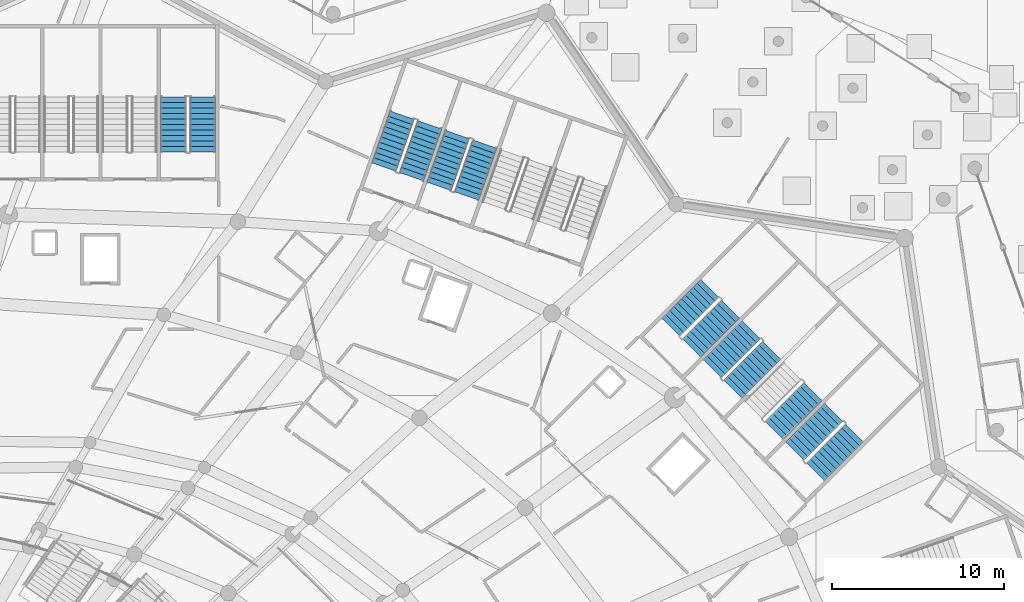
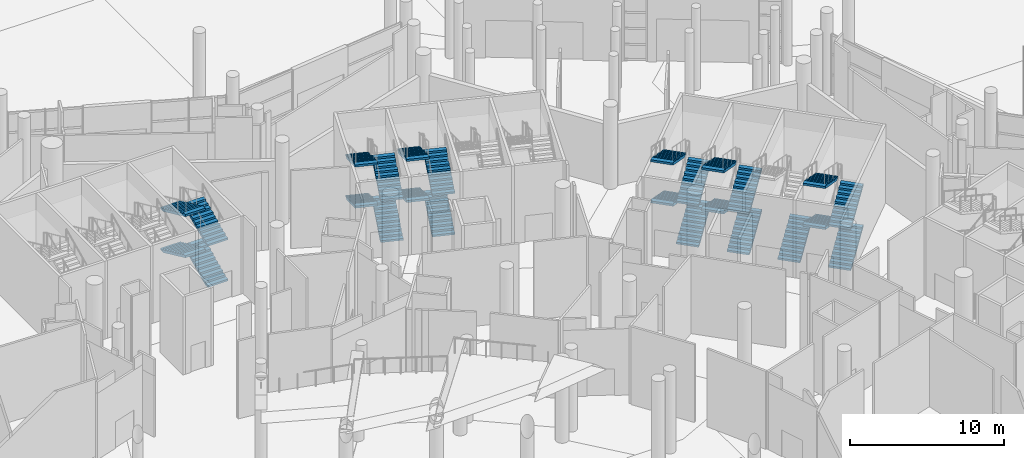
# One storey, part 181 of 255: 25 stair flights, 7 elements without a shape of their own.
"""IFC4 building model written with IfcOpenShell, lengths in metres."""

import ifcopenshell
import ifcopenshell.guid

model = None  # the IFC model being written
_history = None  # IfcOwnerHistory: only IFC2X3 demands one
_inside = {}  # id of a spatial element -> (the spatial element, [elements in it])
_under = {}  # id of a project, library or spatial element -> (it, [spatial elements below it])
_declared = {}  # id of a project -> (the project, [libraries it declares])
_typed = {}  # id of a type object -> (the type object, [elements of that type])
_made_of = {}  # id of a material, layer set ... -> (it, [elements and type objects made of it])


def new_model(schema):
    """Start an empty IFC model of exactly this schema.

    Asked for "IFC4X3", IfcOpenShell would pick the latest addendum, in which some entities
    have other attributes; the version numbers below select the first issue.
    IFC2X3 requires an IfcOwnerHistory on every rooted entity: one is made here for all.
    """
    global model, _history
    if schema == "IFC4X3":
        model = ifcopenshell.file(schema_version=(4, 3, 0, 0))
    else:
        model = ifcopenshell.file(schema=schema)
    _inside.clear()
    _under.clear()
    _declared.clear()
    _typed.clear()
    _made_of.clear()
    _history = None
    if model.schema == "IFC2X3":
        org = make("IfcOrganization", Name="unknown")
        user = make(
            "IfcPersonAndOrganization",
            ThePerson=make("IfcPerson", FamilyName="unknown"),
            TheOrganization=org,
        )
        app = make(
            "IfcApplication",
            ApplicationDeveloper=org,
            Version="unknown",
            ApplicationFullName="unknown",
            ApplicationIdentifier="unknown",
        )
        _history = make(
            "IfcOwnerHistory",
            OwningUser=user,
            OwningApplication=app,
            ChangeAction="ADDED",
            CreationDate=0,
        )
    return model


def make(cls, **values):
    """One entity of the class cls with the attributes given. An attribute that is None is left unset."""
    return model.create_entity(
        cls, **{name: value for name, value in values.items() if value is not None}
    )


def rooted(cls, **values):
    """An entity with a GlobalId (a new one), such as an element, a storey or a relation."""
    return make(cls, GlobalId=ifcopenshell.guid.new(), OwnerHistory=_history, **values)


def si_unit(unit_type, name, prefix=None):
    """IfcSIUnit, for example si_unit("LENGTHUNIT", "METRE", prefix="MILLI")."""
    return make("IfcSIUnit", UnitType=unit_type, Prefix=prefix, Name=name)


def assignment(units):
    """IfcUnitAssignment: the units of a project."""
    return None if units is None else make("IfcUnitAssignment", Units=units)


def point(xyz):
    """IfcCartesianPoint."""
    return None if xyz is None else make("IfcCartesianPoint", Coordinates=xyz)


def direction(xyz):
    """IfcDirection."""
    return None if xyz is None else make("IfcDirection", DirectionRatios=xyz)


def frame(location, z_axis=None, x_axis=None):
    """IfcAxis2Placement3D, a coordinate frame: its origin and axes. An axis left out is left unset."""
    return make(
        "IfcAxis2Placement3D",
        Location=point(location),
        Axis=direction(z_axis),
        RefDirection=direction(x_axis),
    )


def origin():
    """The frame at (0, 0, 0) with its axes left unset."""
    return frame((0.0, 0.0, 0.0))


def place(relative_to, where):
    """IfcLocalPlacement: puts the frame where relative to a parent placement (None: the world)."""
    return make(
        "IfcLocalPlacement", PlacementRelTo=relative_to, RelativePlacement=where
    )


def context(
    kind, dimensions, precision=None, world=None, true_north=None, identifier=None
):
    """IfcGeometricRepresentationContext, for example the 3D "Model" context."""
    return make(
        "IfcGeometricRepresentationContext",
        ContextIdentifier=identifier,
        ContextType=kind,
        CoordinateSpaceDimension=dimensions,
        Precision=precision,
        WorldCoordinateSystem=world,
        TrueNorth=true_north,
    )


def subcontext(parent, identifier, kind, view, scale=None):
    """IfcGeometricRepresentationSubContext, for example "Body" below "Model"."""
    return make(
        "IfcGeometricRepresentationSubContext",
        ContextIdentifier=identifier,
        ContextType=kind,
        ParentContext=parent,
        TargetScale=scale,
        TargetView=view,
    )


def project(units=None, contexts=None):
    """IfcProject with its units and contexts."""
    return rooted(
        "IfcProject",
        Name="project",
        RepresentationContexts=contexts,
        UnitsInContext=assignment(units),
    )


def spatial(cls, under=None, at=None, **own):
    """A site, building, storey or space (cls), placed at a placement, below another one or the project."""
    s = rooted(cls, ObjectPlacement=at, **own)
    if under is not None:
        _under.setdefault(under.id(), (under, []))[1].append(s)
    return s


def polyline(points):
    """IfcPolyline through the points."""
    return make("IfcPolyline", Points=[point(p) for p in points])


def outline(outer, holes=None, kind="AREA"):
    """IfcArbitraryClosedProfileDef: a profile drawn as a closed curve; with holes, ...WithVoids."""
    if holes is None:
        return make("IfcArbitraryClosedProfileDef", ProfileType=kind, OuterCurve=outer)
    return make(
        "IfcArbitraryProfileDefWithVoids",
        ProfileType=kind,
        OuterCurve=outer,
        InnerCurves=holes,
    )


def extrude(swept, where, along, depth):
    """IfcExtrudedAreaSolid: the profile swept, set in the frame where, extruded along a direction by depth."""
    return make(
        "IfcExtrudedAreaSolid",
        SweptArea=swept,
        Position=where,
        ExtrudedDirection=direction(along),
        Depth=depth,
    )


def shape(context_of_items, identifier, shape_type, items):
    """IfcShapeRepresentation: the items that make up one representation, for example the "Body"."""
    return make(
        "IfcShapeRepresentation",
        ContextOfItems=context_of_items,
        RepresentationIdentifier=identifier,
        RepresentationType=shape_type,
        Items=items,
    )


def material(Name=None, Category=None):
    """IfcMaterial."""
    return make("IfcMaterial", Name=Name, Category=Category)


def made_of(thing, what):
    """Note that an element or type object is made of a material, layer set ...; save() writes the relation."""
    if what is not None:
        _made_of.setdefault(what.id(), (what, []))[1].append(thing)
    return thing


def type_object(cls, material=None, **own):
    """A type object (cls), such as IfcWallType, which elements share."""
    return made_of(rooted(cls, **own), material)


def element(
    cls,
    number,
    at=None,
    inside=None,
    cuts=None,
    type_object=None,
    material=None,
    context=None,
    identifier="Body",
    shape_type=None,
    held_by="IfcProductDefinitionShape",
    body=None,
    shapes=None,
    **own,
):
    """One element of the class cls, such as IfcWall. Its Tag is "e" and its number.

    at: its placement. inside: the storey or other place that contains it. cuts: it is an
    opening in that element (IfcRelVoidsElement). A single representation is given by context,
    identifier, shape_type and body (its items); several are given by shapes. held_by: the class
    of the entity that holds the representations. save() writes the other relations.
    """
    e = rooted(cls, Tag="e%d" % number, ObjectPlacement=at, **own)
    if body is not None:
        shapes = [shape(context, identifier, shape_type, body)]
    if shapes is not None:
        e.Representation = make(held_by, Representations=shapes)
    if inside is not None:
        _inside.setdefault(inside.id(), (inside, []))[1].append(e)
    if cuts is not None:
        rooted(
            "IfcRelVoidsElement", RelatingBuildingElement=cuts, RelatedOpeningElement=e
        )
    if type_object is not None:
        _typed.setdefault(type_object.id(), (type_object, []))[1].append(e)
    return made_of(e, material)


def aggregate(whole, parts):
    """IfcRelAggregates: a whole, such as a stair, and the parts it consists of."""
    return rooted("IfcRelAggregates", RelatingObject=whole, RelatedObjects=parts)


def save(model, path):
    """Write the relations noted so far, then the file.

    IfcRelAggregates (storeys below a building ...), IfcRelContainedInSpatialStructure (elements
    in a storey), IfcRelDefinesByType, IfcRelAssociatesMaterial and IfcRelDeclares: one each for
    every whole, place, type object, material and project.
    """
    for whole, parts in _under.values():
        aggregate(whole, parts)
    for where, things in _inside.values():
        rooted(
            "IfcRelContainedInSpatialStructure",
            RelatedElements=things,
            RelatingStructure=where,
        )
    for kind, things in _typed.values():
        rooted("IfcRelDefinesByType", RelatedObjects=things, RelatingType=kind)
    for what, things in _made_of.values():
        rooted("IfcRelAssociatesMaterial", RelatedObjects=things, RelatingMaterial=what)
    for by, libraries in _declared.values():
        rooted("IfcRelDeclares", RelatingContext=by, RelatedDefinitions=libraries)
    model.write(path)


model = new_model("IFC4")

# Units and contexts
model_context = context("Model", 3, precision=1e-05, world=origin(), true_north=direction((0.0, 1.0)))
body_context = subcontext(model_context, "Body", "Model", "MODEL_VIEW")
ifc_project = project(units=[si_unit("LENGTHUNIT", "METRE"), si_unit("AREAUNIT", "SQUARE_METRE"), si_unit("VOLUMEUNIT", "CUBIC_METRE"), si_unit("PLANEANGLEUNIT", "RADIAN"), si_unit("MASSUNIT", "GRAM", prefix="KILO")], contexts=[model_context])

# Site, building, storey
site_placement = place(None, origin())
site = spatial("IfcSite", under=ifc_project, at=site_placement, CompositionType="ELEMENT")
building_placement = place(site_placement, origin())
building = spatial("IfcBuilding", under=site, at=building_placement, Name="Meseta Stadium", CompositionType="ELEMENT")
storey_placement = place(building_placement, origin())
storey = spatial("IfcBuildingStorey", under=building, at=storey_placement, Name="L00", CompositionType="ELEMENT", Elevation=0.0)

# Stair, stair flights
ifc_material_1 = material(Name="Concrete C40/50", Category="concrete")
stair_type = type_object("IfcStairType", Name="Exit stair 4 flights 148 mm risers", PredefinedType="HALF_TURN_STAIR", material=ifc_material_1)
stair_1_placement = place(storey_placement, origin())
stair_1 = element("IfcStair", 1, at=stair_1_placement, inside=storey, type_object=stair_type, Name="ST25 L00", PredefinedType="HALF_TURN_STAIR")
ifc_material_2 = material(Name="Concrete C40/50", Category="concrete")
stair_flight_type = type_object("IfcStairFlightType", Name="Exit stair flight 148 mm risers, 4 per storey", PredefinedType="STRAIGHT", material=ifc_material_2)
stair_flight_1_placement = place(storey_placement, frame((79.9765625, 75.56201171875, 0.0), z_axis=(0.0, 0.0, 1.0), x_axis=(0.707106781187, 0.707106781187, 0.0)))
stair_flight_1 = element("IfcStairFlight", 2, at=stair_flight_1_placement, type_object=stair_flight_type, Name="ST25 L00 flight 1", NumberOfRisers=11, NumberOfTreads=10, PredefinedType="STRAIGHT", RiserHeight=0.147727273, TreadLength=0.32, context=body_context, shape_type="SweptSolid", body=[
    extrude(outline(polyline([(0.0, 0.0), (0.0, 0.147705078125), (0.320068359375, 0.147705078125), (0.320068359375, 0.29541015625), (0.639892578125, 0.29541015625), (0.639892578125, 0.443115234375), (0.9599609375, 0.443115234375), (0.9599609375, 0.5908203125), (1.280029296875, 0.5908203125), (1.280029296875, 0.738525390625), (1.60009765625, 0.738525390625), (1.60009765625, 0.886474609375), (1.919921875, 0.886474609375), (1.919921875, 1.0341796875), (2.239990234375, 1.0341796875), (2.239990234375, 1.181884765625), (2.56005859375, 1.181884765625), (2.56005859375, 1.32958984375), (2.8798828125, 1.32958984375), (2.8798828125, 1.477294921875), (3.199951171875, 1.477294921875), (3.199951171875, 1.312255859375), (0.357666015625, 0.0), (0.0, 0.0)])), frame((0.0, 0.75, 0.0), z_axis=(0.0, -1.0, 0.0), x_axis=(1.0, 0.0, 0.0)), (0.0, 0.0, 1.0), 1.5),
])
stair_flight_2_placement = place(storey_placement, frame((81.037109375, 79.026611328125, 1.625), z_axis=(0.0, 0.0, 1.0), x_axis=(-0.707106781187, -0.707106781187, 0.0)))
stair_flight_2 = element("IfcStairFlight", 3, at=stair_flight_2_placement, type_object=stair_flight_type, Name="ST25 L00 flight 2", NumberOfRisers=11, NumberOfTreads=10, PredefinedType="STRAIGHT", RiserHeight=0.147727273, TreadLength=0.32, context=body_context, shape_type="SweptSolid", body=[
    extrude(outline(polyline([(0.0, 0.0), (0.0, 0.147705078125), (0.320068359375, 0.147705078125), (0.320068359375, 0.29541015625), (0.639892578125, 0.29541015625), (0.639892578125, 0.443115234375), (0.9599609375, 0.443115234375), (0.9599609375, 0.5908203125), (1.280029296875, 0.5908203125), (1.280029296875, 0.738525390625), (1.60009765625, 0.738525390625), (1.60009765625, 0.886474609375), (1.919921875, 0.886474609375), (1.919921875, 1.0341796875), (2.239990234375, 1.0341796875), (2.239990234375, 1.181884765625), (2.56005859375, 1.181884765625), (2.56005859375, 1.32958984375), (2.8798828125, 1.32958984375), (2.8798828125, 1.477294921875), (3.199951171875, 1.477294921875), (3.199951171875, 1.312255859375), (0.357666015625, 0.0), (0.0, 0.0)])), frame((0.0, 0.75, 0.0), z_axis=(0.0, -1.0, 0.0), x_axis=(1.0, 0.0, 0.0)), (0.0, 0.0, 1.0), 1.5),
])
stair_flight_3_placement = place(storey_placement, frame((79.9765625, 75.56201171875, 3.25), z_axis=(0.0, 0.0, 1.0), x_axis=(0.707106781187, 0.707106781187, 0.0)))
stair_flight_3 = element("IfcStairFlight", 4, at=stair_flight_3_placement, type_object=stair_flight_type, Name="ST25 L00 flight 3", NumberOfRisers=11, NumberOfTreads=10, PredefinedType="STRAIGHT", RiserHeight=0.147727273, TreadLength=0.32, context=body_context, shape_type="SweptSolid", body=[
    extrude(outline(polyline([(0.0, 0.0), (0.0, 0.147705078125), (0.320068359375, 0.147705078125), (0.320068359375, 0.29541015625), (0.639892578125, 0.29541015625), (0.639892578125, 0.443115234375), (0.9599609375, 0.443115234375), (0.9599609375, 0.5908203125), (1.280029296875, 0.5908203125), (1.280029296875, 0.738525390625), (1.60009765625, 0.738525390625), (1.60009765625, 0.886474609375), (1.919921875, 0.886474609375), (1.919921875, 1.0341796875), (2.239990234375, 1.0341796875), (2.239990234375, 1.181884765625), (2.56005859375, 1.181884765625), (2.56005859375, 1.32958984375), (2.8798828125, 1.32958984375), (2.8798828125, 1.477294921875), (3.199951171875, 1.477294921875), (3.199951171875, 1.312255859375), (0.357666015625, 0.0), (0.0, 0.0)])), frame((0.0, 0.75, 0.0), z_axis=(0.0, -1.0, 0.0), x_axis=(1.0, 0.0, 0.0)), (0.0, 0.0, 1.0), 1.5),
])
stair_flight_4_placement = place(storey_placement, frame((81.037109375, 79.026611328125, 4.875), z_axis=(0.0, 0.0, 1.0), x_axis=(-0.707106781187, -0.707106781187, 0.0)))
stair_flight_4 = element("IfcStairFlight", 5, at=stair_flight_4_placement, type_object=stair_flight_type, Name="ST25 L00 flight 4", NumberOfRisers=11, NumberOfTreads=10, PredefinedType="STRAIGHT", RiserHeight=0.147727273, TreadLength=0.32, context=body_context, shape_type="SweptSolid", body=[
    extrude(outline(polyline([(0.0, 0.0), (0.0, 0.147705078125), (0.320068359375, 0.147705078125), (0.320068359375, 0.29541015625), (0.639892578125, 0.29541015625), (0.639892578125, 0.443115234375), (0.9599609375, 0.443115234375), (0.9599609375, 0.5908203125), (1.280029296875, 0.5908203125), (1.280029296875, 0.738525390625), (1.60009765625, 0.738525390625), (1.60009765625, 0.886474609375), (1.919921875, 0.886474609375), (1.919921875, 1.0341796875), (2.239990234375, 1.0341796875), (2.239990234375, 1.181884765625), (2.56005859375, 1.181884765625), (2.56005859375, 1.32958984375), (2.8798828125, 1.32958984375), (2.8798828125, 1.477294921875), (3.199951171875, 1.477294921875), (3.199951171875, 1.312255859375), (0.357666015625, 0.0), (0.0, 0.0)])), frame((0.0, 0.75, 0.0), z_axis=(0.0, -1.0, 0.0), x_axis=(1.0, 0.0, 0.0)), (0.0, 0.0, 1.0), 1.5),
])
aggregate(stair_1, [stair_flight_1, stair_flight_2, stair_flight_3, stair_flight_4])

# Stair, stair flight
stair_2_placement = place(storey_placement, origin())
stair_2 = element("IfcStair", 6, at=stair_2_placement, inside=storey, type_object=stair_type, Name="ST26 L00", PredefinedType="HALF_TURN_STAIR")
stair_flight_5_placement = place(storey_placement, frame((77.572265625, 77.966064453125, 0.0), z_axis=(0.0, 0.0, 1.0), x_axis=(0.707106781187, 0.707106781187, 0.0)))
stair_flight_5 = element("IfcStairFlight", 7, at=stair_flight_5_placement, type_object=stair_flight_type, Name="ST26 L00 flight 1", NumberOfRisers=11, NumberOfTreads=10, PredefinedType="STRAIGHT", RiserHeight=0.147727273, TreadLength=0.32, context=body_context, shape_type="SweptSolid", body=[
    extrude(outline(polyline([(0.0, 0.0), (0.0, 0.147705078125), (0.320068359375, 0.147705078125), (0.320068359375, 0.29541015625), (0.639892578125, 0.29541015625), (0.639892578125, 0.443115234375), (0.9599609375, 0.443115234375), (0.9599609375, 0.5908203125), (1.280029296875, 0.5908203125), (1.280029296875, 0.738525390625), (1.60009765625, 0.738525390625), (1.60009765625, 0.886474609375), (1.919921875, 0.886474609375), (1.919921875, 1.0341796875), (2.239990234375, 1.0341796875), (2.239990234375, 1.181884765625), (2.56005859375, 1.181884765625), (2.56005859375, 1.32958984375), (2.8798828125, 1.32958984375), (2.8798828125, 1.477294921875), (3.199951171875, 1.477294921875), (3.199951171875, 1.312255859375), (0.357666015625, 0.0), (0.0, 0.0)])), frame((0.0, 0.75, 0.0), z_axis=(0.0, -1.0, 0.0), x_axis=(1.0, 0.0, 0.0)), (0.0, 0.0, 1.0), 1.5),
])
aggregate(stair_2, [stair_flight_5])

# Stair, stair flights
stair_3_placement = place(storey_placement, origin())
stair_3 = element("IfcStair", 8, at=stair_3_placement, inside=storey, type_object=stair_type, Name="ST27 L00", PredefinedType="HALF_TURN_STAIR")
stair_flight_6_placement = place(storey_placement, frame((75.168212890625, 80.3701171875, 0.0), z_axis=(0.0, 0.0, 1.0), x_axis=(0.707106781187, 0.707106781187, 0.0)))
stair_flight_6 = element("IfcStairFlight", 9, at=stair_flight_6_placement, type_object=stair_flight_type, Name="ST27 L00 flight 1", NumberOfRisers=11, NumberOfTreads=10, PredefinedType="STRAIGHT", RiserHeight=0.147727273, TreadLength=0.32, context=body_context, shape_type="SweptSolid", body=[
    extrude(outline(polyline([(0.0, 0.0), (0.0, 0.147705078125), (0.320068359375, 0.147705078125), (0.320068359375, 0.29541015625), (0.639892578125, 0.29541015625), (0.639892578125, 0.443115234375), (0.9599609375, 0.443115234375), (0.9599609375, 0.5908203125), (1.280029296875, 0.5908203125), (1.280029296875, 0.738525390625), (1.60009765625, 0.738525390625), (1.60009765625, 0.886474609375), (1.919921875, 0.886474609375), (1.919921875, 1.0341796875), (2.239990234375, 1.0341796875), (2.239990234375, 1.181884765625), (2.56005859375, 1.181884765625), (2.56005859375, 1.32958984375), (2.8798828125, 1.32958984375), (2.8798828125, 1.477294921875), (3.199951171875, 1.477294921875), (3.199951171875, 1.312255859375), (0.357666015625, 0.0), (0.0, 0.0)])), frame((0.0, 0.75, 0.0), z_axis=(0.0, -1.0, 0.0), x_axis=(1.0, 0.0, 0.0)), (0.0, 0.0, 1.0), 1.5),
])
stair_flight_7_placement = place(storey_placement, frame((76.228759765625, 83.8349609375, 1.625), z_axis=(0.0, 0.0, 1.0), x_axis=(-0.707106781187, -0.707106781187, 0.0)))
stair_flight_7 = element("IfcStairFlight", 10, at=stair_flight_7_placement, type_object=stair_flight_type, Name="ST27 L00 flight 2", NumberOfRisers=11, NumberOfTreads=10, PredefinedType="STRAIGHT", RiserHeight=0.147727273, TreadLength=0.32, context=body_context, shape_type="SweptSolid", body=[
    extrude(outline(polyline([(0.0, 0.0), (0.0, 0.147705078125), (0.320068359375, 0.147705078125), (0.320068359375, 0.29541015625), (0.639892578125, 0.29541015625), (0.639892578125, 0.443115234375), (0.9599609375, 0.443115234375), (0.9599609375, 0.5908203125), (1.280029296875, 0.5908203125), (1.280029296875, 0.738525390625), (1.60009765625, 0.738525390625), (1.60009765625, 0.886474609375), (1.919921875, 0.886474609375), (1.919921875, 1.0341796875), (2.239990234375, 1.0341796875), (2.239990234375, 1.181884765625), (2.56005859375, 1.181884765625), (2.56005859375, 1.32958984375), (2.8798828125, 1.32958984375), (2.8798828125, 1.477294921875), (3.199951171875, 1.477294921875), (3.199951171875, 1.312255859375), (0.357666015625, 0.0), (0.0, 0.0)])), frame((0.0, 0.75, 0.0), z_axis=(0.0, -1.0, 0.0), x_axis=(1.0, 0.0, 0.0)), (0.0, 0.0, 1.0), 1.5),
])
stair_flight_8_placement = place(storey_placement, frame((75.168212890625, 80.3701171875, 3.25), z_axis=(0.0, 0.0, 1.0), x_axis=(0.707106781187, 0.707106781187, 0.0)))
stair_flight_8 = element("IfcStairFlight", 11, at=stair_flight_8_placement, type_object=stair_flight_type, Name="ST27 L00 flight 3", NumberOfRisers=11, NumberOfTreads=10, PredefinedType="STRAIGHT", RiserHeight=0.147727273, TreadLength=0.32, context=body_context, shape_type="SweptSolid", body=[
    extrude(outline(polyline([(0.0, 0.0), (0.0, 0.147705078125), (0.320068359375, 0.147705078125), (0.320068359375, 0.29541015625), (0.639892578125, 0.29541015625), (0.639892578125, 0.443115234375), (0.9599609375, 0.443115234375), (0.9599609375, 0.5908203125), (1.280029296875, 0.5908203125), (1.280029296875, 0.738525390625), (1.60009765625, 0.738525390625), (1.60009765625, 0.886474609375), (1.919921875, 0.886474609375), (1.919921875, 1.0341796875), (2.239990234375, 1.0341796875), (2.239990234375, 1.181884765625), (2.56005859375, 1.181884765625), (2.56005859375, 1.32958984375), (2.8798828125, 1.32958984375), (2.8798828125, 1.477294921875), (3.199951171875, 1.477294921875), (3.199951171875, 1.312255859375), (0.357666015625, 0.0), (0.0, 0.0)])), frame((0.0, 0.75, 0.0), z_axis=(0.0, -1.0, 0.0), x_axis=(1.0, 0.0, 0.0)), (0.0, 0.0, 1.0), 1.5),
])
stair_flight_9_placement = place(storey_placement, frame((76.228759765625, 83.8349609375, 4.875), z_axis=(0.0, 0.0, 1.0), x_axis=(-0.707106781187, -0.707106781187, 0.0)))
stair_flight_9 = element("IfcStairFlight", 12, at=stair_flight_9_placement, type_object=stair_flight_type, Name="ST27 L00 flight 4", NumberOfRisers=11, NumberOfTreads=10, PredefinedType="STRAIGHT", RiserHeight=0.147727273, TreadLength=0.32, context=body_context, shape_type="SweptSolid", body=[
    extrude(outline(polyline([(0.0, 0.0), (0.0, 0.147705078125), (0.320068359375, 0.147705078125), (0.320068359375, 0.29541015625), (0.639892578125, 0.29541015625), (0.639892578125, 0.443115234375), (0.9599609375, 0.443115234375), (0.9599609375, 0.5908203125), (1.280029296875, 0.5908203125), (1.280029296875, 0.738525390625), (1.60009765625, 0.738525390625), (1.60009765625, 0.886474609375), (1.919921875, 0.886474609375), (1.919921875, 1.0341796875), (2.239990234375, 1.0341796875), (2.239990234375, 1.181884765625), (2.56005859375, 1.181884765625), (2.56005859375, 1.32958984375), (2.8798828125, 1.32958984375), (2.8798828125, 1.477294921875), (3.199951171875, 1.477294921875), (3.199951171875, 1.312255859375), (0.357666015625, 0.0), (0.0, 0.0)])), frame((0.0, 0.75, 0.0), z_axis=(0.0, -1.0, 0.0), x_axis=(1.0, 0.0, 0.0)), (0.0, 0.0, 1.0), 1.5),
])
aggregate(stair_3, [stair_flight_6, stair_flight_7, stair_flight_8, stair_flight_9])

stair_4_placement = place(storey_placement, origin())
stair_4 = element("IfcStair", 13, at=stair_4_placement, inside=storey, type_object=stair_type, Name="ST28 L00", PredefinedType="HALF_TURN_STAIR")
stair_flight_10_placement = place(storey_placement, frame((72.763916015625, 82.7744140625, 0.0), z_axis=(0.0, 0.0, 1.0), x_axis=(0.707106781187, 0.707106781187, 0.0)))
stair_flight_10 = element("IfcStairFlight", 14, at=stair_flight_10_placement, type_object=stair_flight_type, Name="ST28 L00 flight 1", NumberOfRisers=11, NumberOfTreads=10, PredefinedType="STRAIGHT", RiserHeight=0.147727273, TreadLength=0.32, context=body_context, shape_type="SweptSolid", body=[
    extrude(outline(polyline([(0.0, 0.0), (0.0, 0.147705078125), (0.320068359375, 0.147705078125), (0.320068359375, 0.29541015625), (0.639892578125, 0.29541015625), (0.639892578125, 0.443115234375), (0.9599609375, 0.443115234375), (0.9599609375, 0.5908203125), (1.280029296875, 0.5908203125), (1.280029296875, 0.738525390625), (1.60009765625, 0.738525390625), (1.60009765625, 0.886474609375), (1.919921875, 0.886474609375), (1.919921875, 1.0341796875), (2.239990234375, 1.0341796875), (2.239990234375, 1.181884765625), (2.56005859375, 1.181884765625), (2.56005859375, 1.32958984375), (2.8798828125, 1.32958984375), (2.8798828125, 1.477294921875), (3.199951171875, 1.477294921875), (3.199951171875, 1.312255859375), (0.357666015625, 0.0), (0.0, 0.0)])), frame((0.0, 0.75, 0.0), z_axis=(0.0, -1.0, 0.0), x_axis=(1.0, 0.0, 0.0)), (0.0, 0.0, 1.0), 1.5),
])
stair_flight_11_placement = place(storey_placement, frame((73.82470703125, 86.2392578125, 1.625), z_axis=(0.0, 0.0, 1.0), x_axis=(-0.707106781187, -0.707106781187, 0.0)))
stair_flight_11 = element("IfcStairFlight", 15, at=stair_flight_11_placement, type_object=stair_flight_type, Name="ST28 L00 flight 2", NumberOfRisers=11, NumberOfTreads=10, PredefinedType="STRAIGHT", RiserHeight=0.147727273, TreadLength=0.32, context=body_context, shape_type="SweptSolid", body=[
    extrude(outline(polyline([(0.0, 0.0), (0.0, 0.147705078125), (0.320068359375, 0.147705078125), (0.320068359375, 0.29541015625), (0.639892578125, 0.29541015625), (0.639892578125, 0.443115234375), (0.9599609375, 0.443115234375), (0.9599609375, 0.5908203125), (1.280029296875, 0.5908203125), (1.280029296875, 0.738525390625), (1.60009765625, 0.738525390625), (1.60009765625, 0.886474609375), (1.919921875, 0.886474609375), (1.919921875, 1.0341796875), (2.239990234375, 1.0341796875), (2.239990234375, 1.181884765625), (2.56005859375, 1.181884765625), (2.56005859375, 1.32958984375), (2.8798828125, 1.32958984375), (2.8798828125, 1.477294921875), (3.199951171875, 1.477294921875), (3.199951171875, 1.312255859375), (0.357666015625, 0.0), (0.0, 0.0)])), frame((0.0, 0.75, 0.0), z_axis=(0.0, -1.0, 0.0), x_axis=(1.0, 0.0, 0.0)), (0.0, 0.0, 1.0), 1.5),
])
stair_flight_12_placement = place(storey_placement, frame((72.763916015625, 82.7744140625, 3.25), z_axis=(0.0, 0.0, 1.0), x_axis=(0.707106781187, 0.707106781187, 0.0)))
stair_flight_12 = element("IfcStairFlight", 16, at=stair_flight_12_placement, type_object=stair_flight_type, Name="ST28 L00 flight 3", NumberOfRisers=11, NumberOfTreads=10, PredefinedType="STRAIGHT", RiserHeight=0.147727273, TreadLength=0.32, context=body_context, shape_type="SweptSolid", body=[
    extrude(outline(polyline([(0.0, 0.0), (0.0, 0.147705078125), (0.320068359375, 0.147705078125), (0.320068359375, 0.29541015625), (0.639892578125, 0.29541015625), (0.639892578125, 0.443115234375), (0.9599609375, 0.443115234375), (0.9599609375, 0.5908203125), (1.280029296875, 0.5908203125), (1.280029296875, 0.738525390625), (1.60009765625, 0.738525390625), (1.60009765625, 0.886474609375), (1.919921875, 0.886474609375), (1.919921875, 1.0341796875), (2.239990234375, 1.0341796875), (2.239990234375, 1.181884765625), (2.56005859375, 1.181884765625), (2.56005859375, 1.32958984375), (2.8798828125, 1.32958984375), (2.8798828125, 1.477294921875), (3.199951171875, 1.477294921875), (3.199951171875, 1.312255859375), (0.357666015625, 0.0), (0.0, 0.0)])), frame((0.0, 0.75, 0.0), z_axis=(0.0, -1.0, 0.0), x_axis=(1.0, 0.0, 0.0)), (0.0, 0.0, 1.0), 1.5),
])
stair_flight_13_placement = place(storey_placement, frame((73.82470703125, 86.2392578125, 4.875), z_axis=(0.0, 0.0, 1.0), x_axis=(-0.707106781187, -0.707106781187, 0.0)))
stair_flight_13 = element("IfcStairFlight", 17, at=stair_flight_13_placement, type_object=stair_flight_type, Name="ST28 L00 flight 4", NumberOfRisers=11, NumberOfTreads=10, PredefinedType="STRAIGHT", RiserHeight=0.147727273, TreadLength=0.32, context=body_context, shape_type="SweptSolid", body=[
    extrude(outline(polyline([(0.0, 0.0), (0.0, 0.147705078125), (0.320068359375, 0.147705078125), (0.320068359375, 0.29541015625), (0.639892578125, 0.29541015625), (0.639892578125, 0.443115234375), (0.9599609375, 0.443115234375), (0.9599609375, 0.5908203125), (1.280029296875, 0.5908203125), (1.280029296875, 0.738525390625), (1.60009765625, 0.738525390625), (1.60009765625, 0.886474609375), (1.919921875, 0.886474609375), (1.919921875, 1.0341796875), (2.239990234375, 1.0341796875), (2.239990234375, 1.181884765625), (2.56005859375, 1.181884765625), (2.56005859375, 1.32958984375), (2.8798828125, 1.32958984375), (2.8798828125, 1.477294921875), (3.199951171875, 1.477294921875), (3.199951171875, 1.312255859375), (0.357666015625, 0.0), (0.0, 0.0)])), frame((0.0, 0.75, 0.0), z_axis=(0.0, -1.0, 0.0), x_axis=(1.0, 0.0, 0.0)), (0.0, 0.0, 1.0), 1.5),
])
aggregate(stair_4, [stair_flight_10, stair_flight_11, stair_flight_12, stair_flight_13])

stair_5_placement = place(storey_placement, origin())
stair_5 = element("IfcStair", 18, at=stair_5_placement, inside=storey, type_object=stair_type, Name="ST31 L00", PredefinedType="HALF_TURN_STAIR")
stair_flight_14_placement = place(storey_placement, frame((59.663818359375, 91.622802734375, 0.0), z_axis=(0.0, 0.0, 1.0), x_axis=(0.330279057248, 0.943883331955, 0.0)))
stair_flight_14 = element("IfcStairFlight", 19, at=stair_flight_14_placement, type_object=stair_flight_type, Name="ST31 L00 flight 1", NumberOfRisers=11, NumberOfTreads=10, PredefinedType="STRAIGHT", RiserHeight=0.147727273, TreadLength=0.32, context=body_context, shape_type="SweptSolid", body=[
    extrude(outline(polyline([(0.0, 0.0), (0.0, 0.147705078125), (0.320068359375, 0.147705078125), (0.320068359375, 0.29541015625), (0.639892578125, 0.29541015625), (0.639892578125, 0.443115234375), (0.9599609375, 0.443115234375), (0.9599609375, 0.5908203125), (1.280029296875, 0.5908203125), (1.280029296875, 0.738525390625), (1.60009765625, 0.738525390625), (1.60009765625, 0.886474609375), (1.919921875, 0.886474609375), (1.919921875, 1.0341796875), (2.239990234375, 1.0341796875), (2.239990234375, 1.181884765625), (2.56005859375, 1.181884765625), (2.56005859375, 1.32958984375), (2.8798828125, 1.32958984375), (2.8798828125, 1.477294921875), (3.199951171875, 1.477294921875), (3.199951171875, 1.312255859375), (0.357666015625, 0.0), (0.0, 0.0)])), frame((0.0, 0.75, 0.0), z_axis=(0.0, -1.0, 0.0), x_axis=(1.0, 0.0, 0.0)), (0.0, 0.0, 1.0), 1.5),
])
stair_flight_15_placement = place(storey_placement, frame((59.1162109375, 95.204833984375, 1.625), z_axis=(0.0, 0.0, 1.0), x_axis=(-0.330279057248, -0.943883331955, 0.0)))
stair_flight_15 = element("IfcStairFlight", 20, at=stair_flight_15_placement, type_object=stair_flight_type, Name="ST31 L00 flight 2", NumberOfRisers=11, NumberOfTreads=10, PredefinedType="STRAIGHT", RiserHeight=0.147727273, TreadLength=0.32, context=body_context, shape_type="SweptSolid", body=[
    extrude(outline(polyline([(0.0, 0.0), (0.0, 0.147705078125), (0.320068359375, 0.147705078125), (0.320068359375, 0.29541015625), (0.639892578125, 0.29541015625), (0.639892578125, 0.443115234375), (0.9599609375, 0.443115234375), (0.9599609375, 0.5908203125), (1.280029296875, 0.5908203125), (1.280029296875, 0.738525390625), (1.60009765625, 0.738525390625), (1.60009765625, 0.886474609375), (1.919921875, 0.886474609375), (1.919921875, 1.0341796875), (2.239990234375, 1.0341796875), (2.239990234375, 1.181884765625), (2.56005859375, 1.181884765625), (2.56005859375, 1.32958984375), (2.8798828125, 1.32958984375), (2.8798828125, 1.477294921875), (3.199951171875, 1.477294921875), (3.199951171875, 1.312255859375), (0.357666015625, 0.0), (0.0, 0.0)])), frame((0.0, 0.75, 0.0), z_axis=(0.0, -1.0, 0.0), x_axis=(1.0, 0.0, 0.0)), (0.0, 0.0, 1.0), 1.5),
])
stair_flight_16_placement = place(storey_placement, frame((59.663818359375, 91.622802734375, 3.25), z_axis=(0.0, 0.0, 1.0), x_axis=(0.330279057248, 0.943883331955, 0.0)))
stair_flight_16 = element("IfcStairFlight", 21, at=stair_flight_16_placement, type_object=stair_flight_type, Name="ST31 L00 flight 3", NumberOfRisers=11, NumberOfTreads=10, PredefinedType="STRAIGHT", RiserHeight=0.147727273, TreadLength=0.32, context=body_context, shape_type="SweptSolid", body=[
    extrude(outline(polyline([(0.0, 0.0), (0.0, 0.147705078125), (0.320068359375, 0.147705078125), (0.320068359375, 0.29541015625), (0.639892578125, 0.29541015625), (0.639892578125, 0.443115234375), (0.9599609375, 0.443115234375), (0.9599609375, 0.5908203125), (1.280029296875, 0.5908203125), (1.280029296875, 0.738525390625), (1.60009765625, 0.738525390625), (1.60009765625, 0.886474609375), (1.919921875, 0.886474609375), (1.919921875, 1.0341796875), (2.239990234375, 1.0341796875), (2.239990234375, 1.181884765625), (2.56005859375, 1.181884765625), (2.56005859375, 1.32958984375), (2.8798828125, 1.32958984375), (2.8798828125, 1.477294921875), (3.199951171875, 1.477294921875), (3.199951171875, 1.312255859375), (0.357666015625, 0.0), (0.0, 0.0)])), frame((0.0, 0.75, 0.0), z_axis=(0.0, -1.0, 0.0), x_axis=(1.0, 0.0, 0.0)), (0.0, 0.0, 1.0), 1.5),
])
stair_flight_17_placement = place(storey_placement, frame((59.1162109375, 95.204833984375, 4.875), z_axis=(0.0, 0.0, 1.0), x_axis=(-0.330279057248, -0.943883331955, 0.0)))
stair_flight_17 = element("IfcStairFlight", 22, at=stair_flight_17_placement, type_object=stair_flight_type, Name="ST31 L00 flight 4", NumberOfRisers=11, NumberOfTreads=10, PredefinedType="STRAIGHT", RiserHeight=0.147727273, TreadLength=0.32, context=body_context, shape_type="SweptSolid", body=[
    extrude(outline(polyline([(0.0, 0.0), (0.0, 0.147705078125), (0.320068359375, 0.147705078125), (0.320068359375, 0.29541015625), (0.639892578125, 0.29541015625), (0.639892578125, 0.443115234375), (0.9599609375, 0.443115234375), (0.9599609375, 0.5908203125), (1.280029296875, 0.5908203125), (1.280029296875, 0.738525390625), (1.60009765625, 0.738525390625), (1.60009765625, 0.886474609375), (1.919921875, 0.886474609375), (1.919921875, 1.0341796875), (2.239990234375, 1.0341796875), (2.239990234375, 1.181884765625), (2.56005859375, 1.181884765625), (2.56005859375, 1.32958984375), (2.8798828125, 1.32958984375), (2.8798828125, 1.477294921875), (3.199951171875, 1.477294921875), (3.199951171875, 1.312255859375), (0.357666015625, 0.0), (0.0, 0.0)])), frame((0.0, 0.75, 0.0), z_axis=(0.0, -1.0, 0.0), x_axis=(1.0, 0.0, 0.0)), (0.0, 0.0, 1.0), 1.5),
])
aggregate(stair_5, [stair_flight_14, stair_flight_15, stair_flight_16, stair_flight_17])

stair_6_placement = place(storey_placement, origin())
stair_6 = element("IfcStair", 23, at=stair_6_placement, inside=storey, type_object=stair_type, Name="ST32 L00", PredefinedType="HALF_TURN_STAIR")
stair_flight_18_placement = place(storey_placement, frame((56.454833984375, 92.745849609375, 0.0), z_axis=(0.0, 0.0, 1.0), x_axis=(0.330279057248, 0.943883331955, 0.0)))
stair_flight_18 = element("IfcStairFlight", 24, at=stair_flight_18_placement, type_object=stair_flight_type, Name="ST32 L00 flight 1", NumberOfRisers=11, NumberOfTreads=10, PredefinedType="STRAIGHT", RiserHeight=0.147727273, TreadLength=0.32, context=body_context, shape_type="SweptSolid", body=[
    extrude(outline(polyline([(0.0, 0.0), (0.0, 0.147705078125), (0.320068359375, 0.147705078125), (0.320068359375, 0.29541015625), (0.639892578125, 0.29541015625), (0.639892578125, 0.443115234375), (0.9599609375, 0.443115234375), (0.9599609375, 0.5908203125), (1.280029296875, 0.5908203125), (1.280029296875, 0.738525390625), (1.60009765625, 0.738525390625), (1.60009765625, 0.886474609375), (1.919921875, 0.886474609375), (1.919921875, 1.0341796875), (2.239990234375, 1.0341796875), (2.239990234375, 1.181884765625), (2.56005859375, 1.181884765625), (2.56005859375, 1.32958984375), (2.8798828125, 1.32958984375), (2.8798828125, 1.477294921875), (3.199951171875, 1.477294921875), (3.199951171875, 1.312255859375), (0.357666015625, 0.0), (0.0, 0.0)])), frame((0.0, 0.75, 0.0), z_axis=(0.0, -1.0, 0.0), x_axis=(1.0, 0.0, 0.0)), (0.0, 0.0, 1.0), 1.5),
])
stair_flight_19_placement = place(storey_placement, frame((55.906982421875, 96.32763671875, 1.625), z_axis=(0.0, 0.0, 1.0), x_axis=(-0.330279057248, -0.943883331955, 0.0)))
stair_flight_19 = element("IfcStairFlight", 25, at=stair_flight_19_placement, type_object=stair_flight_type, Name="ST32 L00 flight 2", NumberOfRisers=11, NumberOfTreads=10, PredefinedType="STRAIGHT", RiserHeight=0.147727273, TreadLength=0.32, context=body_context, shape_type="SweptSolid", body=[
    extrude(outline(polyline([(0.0, 0.0), (0.0, 0.147705078125), (0.320068359375, 0.147705078125), (0.320068359375, 0.29541015625), (0.639892578125, 0.29541015625), (0.639892578125, 0.443115234375), (0.9599609375, 0.443115234375), (0.9599609375, 0.5908203125), (1.280029296875, 0.5908203125), (1.280029296875, 0.738525390625), (1.60009765625, 0.738525390625), (1.60009765625, 0.886474609375), (1.919921875, 0.886474609375), (1.919921875, 1.0341796875), (2.239990234375, 1.0341796875), (2.239990234375, 1.181884765625), (2.56005859375, 1.181884765625), (2.56005859375, 1.32958984375), (2.8798828125, 1.32958984375), (2.8798828125, 1.477294921875), (3.199951171875, 1.477294921875), (3.199951171875, 1.312255859375), (0.357666015625, 0.0), (0.0, 0.0)])), frame((0.0, 0.75, 0.0), z_axis=(0.0, -1.0, 0.0), x_axis=(1.0, 0.0, 0.0)), (0.0, 0.0, 1.0), 1.5),
])
stair_flight_20_placement = place(storey_placement, frame((56.454833984375, 92.745849609375, 3.25), z_axis=(0.0, 0.0, 1.0), x_axis=(0.330279057248, 0.943883331955, 0.0)))
stair_flight_20 = element("IfcStairFlight", 26, at=stair_flight_20_placement, type_object=stair_flight_type, Name="ST32 L00 flight 3", NumberOfRisers=11, NumberOfTreads=10, PredefinedType="STRAIGHT", RiserHeight=0.147727273, TreadLength=0.32, context=body_context, shape_type="SweptSolid", body=[
    extrude(outline(polyline([(0.0, 0.0), (0.0, 0.147705078125), (0.320068359375, 0.147705078125), (0.320068359375, 0.29541015625), (0.639892578125, 0.29541015625), (0.639892578125, 0.443115234375), (0.9599609375, 0.443115234375), (0.9599609375, 0.5908203125), (1.280029296875, 0.5908203125), (1.280029296875, 0.738525390625), (1.60009765625, 0.738525390625), (1.60009765625, 0.886474609375), (1.919921875, 0.886474609375), (1.919921875, 1.0341796875), (2.239990234375, 1.0341796875), (2.239990234375, 1.181884765625), (2.56005859375, 1.181884765625), (2.56005859375, 1.32958984375), (2.8798828125, 1.32958984375), (2.8798828125, 1.477294921875), (3.199951171875, 1.477294921875), (3.199951171875, 1.312255859375), (0.357666015625, 0.0), (0.0, 0.0)])), frame((0.0, 0.75, 0.0), z_axis=(0.0, -1.0, 0.0), x_axis=(1.0, 0.0, 0.0)), (0.0, 0.0, 1.0), 1.5),
])
stair_flight_21_placement = place(storey_placement, frame((55.906982421875, 96.32763671875, 4.875), z_axis=(0.0, 0.0, 1.0), x_axis=(-0.330279057248, -0.943883331955, 0.0)))
stair_flight_21 = element("IfcStairFlight", 27, at=stair_flight_21_placement, type_object=stair_flight_type, Name="ST32 L00 flight 4", NumberOfRisers=11, NumberOfTreads=10, PredefinedType="STRAIGHT", RiserHeight=0.147727273, TreadLength=0.32, context=body_context, shape_type="SweptSolid", body=[
    extrude(outline(polyline([(0.0, 0.0), (0.0, 0.147705078125), (0.320068359375, 0.147705078125), (0.320068359375, 0.29541015625), (0.639892578125, 0.29541015625), (0.639892578125, 0.443115234375), (0.9599609375, 0.443115234375), (0.9599609375, 0.5908203125), (1.280029296875, 0.5908203125), (1.280029296875, 0.738525390625), (1.60009765625, 0.738525390625), (1.60009765625, 0.886474609375), (1.919921875, 0.886474609375), (1.919921875, 1.0341796875), (2.239990234375, 1.0341796875), (2.239990234375, 1.181884765625), (2.56005859375, 1.181884765625), (2.56005859375, 1.32958984375), (2.8798828125, 1.32958984375), (2.8798828125, 1.477294921875), (3.199951171875, 1.477294921875), (3.199951171875, 1.312255859375), (0.357666015625, 0.0), (0.0, 0.0)])), frame((0.0, 0.75, 0.0), z_axis=(0.0, -1.0, 0.0), x_axis=(1.0, 0.0, 0.0)), (0.0, 0.0, 1.0), 1.5),
])
aggregate(stair_6, [stair_flight_18, stair_flight_19, stair_flight_20, stair_flight_21])

stair_7_placement = place(storey_placement, origin())
stair_7 = element("IfcStair", 28, at=stair_7_placement, inside=storey, type_object=stair_type, Name="ST33 L00", PredefinedType="HALF_TURN_STAIR")
stair_flight_22_placement = place(storey_placement, frame((44.283447265625, 94.199951171875, 0.0), z_axis=(0.0, 0.0, 1.0), x_axis=(0.0, 1.0, 0.0)))
stair_flight_22 = element("IfcStairFlight", 29, at=stair_flight_22_placement, type_object=stair_flight_type, Name="ST33 L00 flight 1", NumberOfRisers=11, NumberOfTreads=10, PredefinedType="STRAIGHT", RiserHeight=0.147727273, TreadLength=0.32, context=body_context, shape_type="SweptSolid", body=[
    extrude(outline(polyline([(0.0, 0.0), (0.0, 0.147705078125), (0.320068359375, 0.147705078125), (0.320068359375, 0.29541015625), (0.639892578125, 0.29541015625), (0.639892578125, 0.443115234375), (0.9599609375, 0.443115234375), (0.9599609375, 0.5908203125), (1.280029296875, 0.5908203125), (1.280029296875, 0.738525390625), (1.60009765625, 0.738525390625), (1.60009765625, 0.886474609375), (1.919921875, 0.886474609375), (1.919921875, 1.0341796875), (2.239990234375, 1.0341796875), (2.239990234375, 1.181884765625), (2.56005859375, 1.181884765625), (2.56005859375, 1.32958984375), (2.8798828125, 1.32958984375), (2.8798828125, 1.477294921875), (3.199951171875, 1.477294921875), (3.199951171875, 1.312255859375), (0.357666015625, 0.0), (0.0, 0.0)])), frame((0.0, 0.75, 0.0), z_axis=(0.0, -1.0, 0.0), x_axis=(1.0, 0.0, 0.0)), (0.0, 0.0, 1.0), 1.5),
])
stair_flight_23_placement = place(storey_placement, frame((42.583251953125, 97.39990234375, 1.625), z_axis=(0.0, 0.0, 1.0), x_axis=(0.0, -1.0, 0.0)))
stair_flight_23 = element("IfcStairFlight", 30, at=stair_flight_23_placement, type_object=stair_flight_type, Name="ST33 L00 flight 2", NumberOfRisers=11, NumberOfTreads=10, PredefinedType="STRAIGHT", RiserHeight=0.147727273, TreadLength=0.32, context=body_context, shape_type="SweptSolid", body=[
    extrude(outline(polyline([(0.0, 0.0), (0.0, 0.147705078125), (0.320068359375, 0.147705078125), (0.320068359375, 0.29541015625), (0.639892578125, 0.29541015625), (0.639892578125, 0.443115234375), (0.9599609375, 0.443115234375), (0.9599609375, 0.5908203125), (1.280029296875, 0.5908203125), (1.280029296875, 0.738525390625), (1.60009765625, 0.738525390625), (1.60009765625, 0.886474609375), (1.919921875, 0.886474609375), (1.919921875, 1.0341796875), (2.239990234375, 1.0341796875), (2.239990234375, 1.181884765625), (2.56005859375, 1.181884765625), (2.56005859375, 1.32958984375), (2.8798828125, 1.32958984375), (2.8798828125, 1.477294921875), (3.199951171875, 1.477294921875), (3.199951171875, 1.312255859375), (0.357666015625, 0.0), (0.0, 0.0)])), frame((0.0, 0.75, 0.0), z_axis=(0.0, -1.0, 0.0), x_axis=(1.0, 0.0, 0.0)), (0.0, 0.0, 1.0), 1.5),
])
stair_flight_24_placement = place(storey_placement, frame((44.283447265625, 94.199951171875, 3.25), z_axis=(0.0, 0.0, 1.0), x_axis=(0.0, 1.0, 0.0)))
stair_flight_24 = element("IfcStairFlight", 31, at=stair_flight_24_placement, type_object=stair_flight_type, Name="ST33 L00 flight 3", NumberOfRisers=11, NumberOfTreads=10, PredefinedType="STRAIGHT", RiserHeight=0.147727273, TreadLength=0.32, context=body_context, shape_type="SweptSolid", body=[
    extrude(outline(polyline([(0.0, 0.0), (0.0, 0.147705078125), (0.320068359375, 0.147705078125), (0.320068359375, 0.29541015625), (0.639892578125, 0.29541015625), (0.639892578125, 0.443115234375), (0.9599609375, 0.443115234375), (0.9599609375, 0.5908203125), (1.280029296875, 0.5908203125), (1.280029296875, 0.738525390625), (1.60009765625, 0.738525390625), (1.60009765625, 0.886474609375), (1.919921875, 0.886474609375), (1.919921875, 1.0341796875), (2.239990234375, 1.0341796875), (2.239990234375, 1.181884765625), (2.56005859375, 1.181884765625), (2.56005859375, 1.32958984375), (2.8798828125, 1.32958984375), (2.8798828125, 1.477294921875), (3.199951171875, 1.477294921875), (3.199951171875, 1.312255859375), (0.357666015625, 0.0), (0.0, 0.0)])), frame((0.0, 0.75, 0.0), z_axis=(0.0, -1.0, 0.0), x_axis=(1.0, 0.0, 0.0)), (0.0, 0.0, 1.0), 1.5),
])
stair_flight_25_placement = place(storey_placement, frame((42.583251953125, 97.39990234375, 4.875), z_axis=(0.0, 0.0, 1.0), x_axis=(0.0, -1.0, 0.0)))
stair_flight_25 = element("IfcStairFlight", 32, at=stair_flight_25_placement, type_object=stair_flight_type, Name="ST33 L00 flight 4", NumberOfRisers=11, NumberOfTreads=10, PredefinedType="STRAIGHT", RiserHeight=0.147727273, TreadLength=0.32, context=body_context, shape_type="SweptSolid", body=[
    extrude(outline(polyline([(0.0, 0.0), (0.0, 0.147705078125), (0.320068359375, 0.147705078125), (0.320068359375, 0.29541015625), (0.639892578125, 0.29541015625), (0.639892578125, 0.443115234375), (0.9599609375, 0.443115234375), (0.9599609375, 0.5908203125), (1.280029296875, 0.5908203125), (1.280029296875, 0.738525390625), (1.60009765625, 0.738525390625), (1.60009765625, 0.886474609375), (1.919921875, 0.886474609375), (1.919921875, 1.0341796875), (2.239990234375, 1.0341796875), (2.239990234375, 1.181884765625), (2.56005859375, 1.181884765625), (2.56005859375, 1.32958984375), (2.8798828125, 1.32958984375), (2.8798828125, 1.477294921875), (3.199951171875, 1.477294921875), (3.199951171875, 1.312255859375), (0.357666015625, 0.0), (0.0, 0.0)])), frame((0.0, 0.75, 0.0), z_axis=(0.0, -1.0, 0.0), x_axis=(1.0, 0.0, 0.0)), (0.0, 0.0, 1.0), 1.5),
])
aggregate(stair_7, [stair_flight_22, stair_flight_23, stair_flight_24, stair_flight_25])

save(model, "model.ifc")
